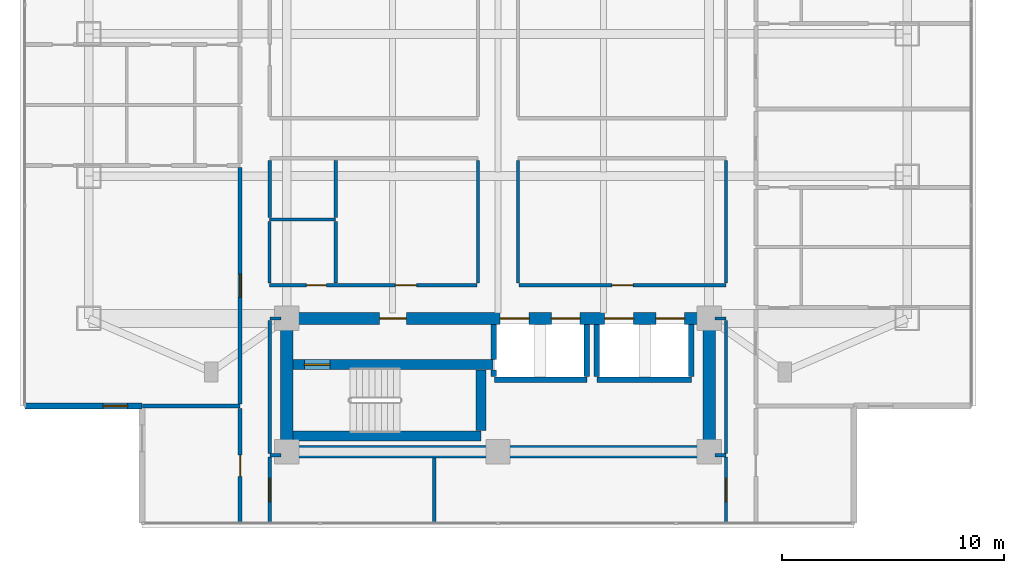
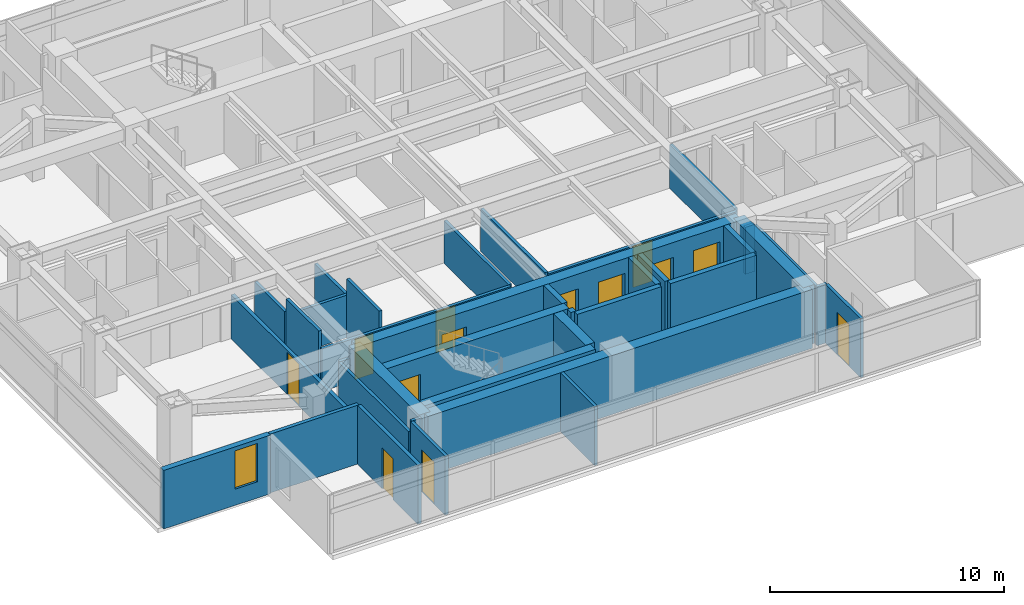
# One storey, part 12 of 24: 37 walls, 13 doors, 1 window, 14 openings.
"""IFC4 building model written with IfcOpenShell, lengths in metres."""

import ifcopenshell
import ifcopenshell.guid

model = None  # the IFC model being written
_history = None  # IfcOwnerHistory: only IFC2X3 demands one
_inside = {}  # id of a spatial element -> (the spatial element, [elements in it])
_under = {}  # id of a project, library or spatial element -> (it, [spatial elements below it])
_declared = {}  # id of a project -> (the project, [libraries it declares])
_typed = {}  # id of a type object -> (the type object, [elements of that type])
_made_of = {}  # id of a material, layer set ... -> (it, [elements and type objects made of it])


def new_model(schema):
    """Start an empty IFC model of exactly this schema.

    Asked for "IFC4X3", IfcOpenShell would pick the latest addendum, in which some entities
    have other attributes; the version numbers below select the first issue.
    IFC2X3 requires an IfcOwnerHistory on every rooted entity: one is made here for all.
    """
    global model, _history
    if schema == "IFC4X3":
        model = ifcopenshell.file(schema_version=(4, 3, 0, 0))
    else:
        model = ifcopenshell.file(schema=schema)
    _inside.clear()
    _under.clear()
    _declared.clear()
    _typed.clear()
    _made_of.clear()
    _history = None
    if model.schema == "IFC2X3":
        org = make("IfcOrganization", Name="unknown")
        user = make(
            "IfcPersonAndOrganization",
            ThePerson=make("IfcPerson", FamilyName="unknown"),
            TheOrganization=org,
        )
        app = make(
            "IfcApplication",
            ApplicationDeveloper=org,
            Version="unknown",
            ApplicationFullName="unknown",
            ApplicationIdentifier="unknown",
        )
        _history = make(
            "IfcOwnerHistory",
            OwningUser=user,
            OwningApplication=app,
            ChangeAction="ADDED",
            CreationDate=0,
        )
    return model


def make(cls, **values):
    """One entity of the class cls with the attributes given. An attribute that is None is left unset."""
    return model.create_entity(
        cls, **{name: value for name, value in values.items() if value is not None}
    )


def rooted(cls, **values):
    """An entity with a GlobalId (a new one), such as an element, a storey or a relation."""
    return make(cls, GlobalId=ifcopenshell.guid.new(), OwnerHistory=_history, **values)


def si_unit(unit_type, name, prefix=None):
    """IfcSIUnit, for example si_unit("LENGTHUNIT", "METRE", prefix="MILLI")."""
    return make("IfcSIUnit", UnitType=unit_type, Prefix=prefix, Name=name)


def assignment(units):
    """IfcUnitAssignment: the units of a project."""
    return None if units is None else make("IfcUnitAssignment", Units=units)


def point(xyz):
    """IfcCartesianPoint."""
    return None if xyz is None else make("IfcCartesianPoint", Coordinates=xyz)


def direction(xyz):
    """IfcDirection."""
    return None if xyz is None else make("IfcDirection", DirectionRatios=xyz)


def frame(location, z_axis=None, x_axis=None):
    """IfcAxis2Placement3D, a coordinate frame: its origin and axes. An axis left out is left unset."""
    return make(
        "IfcAxis2Placement3D",
        Location=point(location),
        Axis=direction(z_axis),
        RefDirection=direction(x_axis),
    )


def frame_2d(location, x_axis=None):
    """IfcAxis2Placement2D, a coordinate frame in the plane: its origin and x axis."""
    return make(
        "IfcAxis2Placement2D", Location=point(location), RefDirection=direction(x_axis)
    )


def origin():
    """The frame at (0, 0, 0) with its axes left unset."""
    return frame((0.0, 0.0, 0.0))


def place(relative_to, where):
    """IfcLocalPlacement: puts the frame where relative to a parent placement (None: the world)."""
    return make(
        "IfcLocalPlacement", PlacementRelTo=relative_to, RelativePlacement=where
    )


def context(
    kind, dimensions, precision=None, world=None, true_north=None, identifier=None
):
    """IfcGeometricRepresentationContext, for example the 3D "Model" context."""
    return make(
        "IfcGeometricRepresentationContext",
        ContextIdentifier=identifier,
        ContextType=kind,
        CoordinateSpaceDimension=dimensions,
        Precision=precision,
        WorldCoordinateSystem=world,
        TrueNorth=true_north,
    )


def subcontext(parent, identifier, kind, view, scale=None):
    """IfcGeometricRepresentationSubContext, for example "Body" below "Model"."""
    return make(
        "IfcGeometricRepresentationSubContext",
        ContextIdentifier=identifier,
        ContextType=kind,
        ParentContext=parent,
        TargetScale=scale,
        TargetView=view,
    )


def project(units=None, contexts=None):
    """IfcProject with its units and contexts."""
    return rooted(
        "IfcProject",
        Name="project",
        RepresentationContexts=contexts,
        UnitsInContext=assignment(units),
    )


def spatial(cls, under=None, at=None, **own):
    """A site, building, storey or space (cls), placed at a placement, below another one or the project."""
    s = rooted(cls, ObjectPlacement=at, **own)
    if under is not None:
        _under.setdefault(under.id(), (under, []))[1].append(s)
    return s


def profile(cls, at=None, kind="AREA", **sizes):
    """A parametric profile (cls). Its sizes go by their IFC names, for example OverallWidth=200.0."""
    return make(cls, ProfileType=kind, Position=at, **sizes)


def rectangle(**sizes):
    """IfcRectangleProfileDef."""
    return profile("IfcRectangleProfileDef", **sizes)


def extrude(swept, where, along, depth):
    """IfcExtrudedAreaSolid: the profile swept, set in the frame where, extruded along a direction by depth."""
    return make(
        "IfcExtrudedAreaSolid",
        SweptArea=swept,
        Position=where,
        ExtrudedDirection=direction(along),
        Depth=depth,
    )


def shape(context_of_items, identifier, shape_type, items):
    """IfcShapeRepresentation: the items that make up one representation, for example the "Body"."""
    return make(
        "IfcShapeRepresentation",
        ContextOfItems=context_of_items,
        RepresentationIdentifier=identifier,
        RepresentationType=shape_type,
        Items=items,
    )


def material(Name=None, Category=None):
    """IfcMaterial."""
    return make("IfcMaterial", Name=Name, Category=Category)


def layer(
    of_material, thickness, ventilated=None, Name=None, Category=None, Priority=None
):
    """IfcMaterialLayer: one layer of a wall or slab, of a material (None: an air gap)."""
    return make(
        "IfcMaterialLayer",
        Material=of_material,
        LayerThickness=thickness,
        IsVentilated=ventilated,
        Name=Name,
        Category=Category,
        Priority=Priority,
    )


def layer_set(layers, Name=None):
    """IfcMaterialLayerSet."""
    return make("IfcMaterialLayerSet", MaterialLayers=layers, LayerSetName=Name)


def made_of(thing, what):
    """Note that an element or type object is made of a material, layer set ...; save() writes the relation."""
    if what is not None:
        _made_of.setdefault(what.id(), (what, []))[1].append(thing)
    return thing


def type_object(cls, material=None, **own):
    """A type object (cls), such as IfcWallType, which elements share."""
    return made_of(rooted(cls, **own), material)


def element(
    cls,
    number,
    at=None,
    inside=None,
    cuts=None,
    type_object=None,
    material=None,
    context=None,
    identifier="Body",
    shape_type=None,
    held_by="IfcProductDefinitionShape",
    body=None,
    shapes=None,
    **own,
):
    """One element of the class cls, such as IfcWall. Its Tag is "e" and its number.

    at: its placement. inside: the storey or other place that contains it. cuts: it is an
    opening in that element (IfcRelVoidsElement). A single representation is given by context,
    identifier, shape_type and body (its items); several are given by shapes. held_by: the class
    of the entity that holds the representations. save() writes the other relations.
    """
    e = rooted(cls, Tag="e%d" % number, ObjectPlacement=at, **own)
    if body is not None:
        shapes = [shape(context, identifier, shape_type, body)]
    if shapes is not None:
        e.Representation = make(held_by, Representations=shapes)
    if inside is not None:
        _inside.setdefault(inside.id(), (inside, []))[1].append(e)
    if cuts is not None:
        rooted(
            "IfcRelVoidsElement", RelatingBuildingElement=cuts, RelatedOpeningElement=e
        )
    if type_object is not None:
        _typed.setdefault(type_object.id(), (type_object, []))[1].append(e)
    return made_of(e, material)


def fill(opening, filler):
    """IfcRelFillsElement: the door or window that sits in an opening."""
    return rooted(
        "IfcRelFillsElement",
        RelatingOpeningElement=opening,
        RelatedBuildingElement=filler,
    )


def aggregate(whole, parts):
    """IfcRelAggregates: a whole, such as a stair, and the parts it consists of."""
    return rooted("IfcRelAggregates", RelatingObject=whole, RelatedObjects=parts)


def save(model, path):
    """Write the relations noted so far, then the file.

    IfcRelAggregates (storeys below a building ...), IfcRelContainedInSpatialStructure (elements
    in a storey), IfcRelDefinesByType, IfcRelAssociatesMaterial and IfcRelDeclares: one each for
    every whole, place, type object, material and project.
    """
    for whole, parts in _under.values():
        aggregate(whole, parts)
    for where, things in _inside.values():
        rooted(
            "IfcRelContainedInSpatialStructure",
            RelatedElements=things,
            RelatingStructure=where,
        )
    for kind, things in _typed.values():
        rooted("IfcRelDefinesByType", RelatedObjects=things, RelatingType=kind)
    for what, things in _made_of.values():
        rooted("IfcRelAssociatesMaterial", RelatedObjects=things, RelatingMaterial=what)
    for by, libraries in _declared.values():
        rooted("IfcRelDeclares", RelatingContext=by, RelatedDefinitions=libraries)
    model.write(path)


model = new_model("IFC4")

# Units and contexts
model_context = context("Model", 3, precision=1e-05, world=origin(), true_north=direction((0.0, 1.0)))
body_context = subcontext(model_context, "Body", "Model", "MODEL_VIEW")
ifc_project = project(units=[si_unit("LENGTHUNIT", "METRE"), si_unit("AREAUNIT", "SQUARE_METRE"), si_unit("VOLUMEUNIT", "CUBIC_METRE"), si_unit("PLANEANGLEUNIT", "RADIAN"), si_unit("MASSUNIT", "GRAM", prefix="KILO")], contexts=[model_context])

# Site, building, storey
site_placement = place(None, origin())
site = spatial("IfcSite", under=ifc_project, at=site_placement, CompositionType="ELEMENT")
building_placement = place(site_placement, origin())
building = spatial("IfcBuilding", under=site, at=building_placement, Name="Mirazonda Arch Towers", CompositionType="ELEMENT")
storey_placement = place(building_placement, frame((0.0, 0.0, 134.60009765625)))
storey = spatial("IfcBuildingStorey", under=building, at=storey_placement, Name="L38", CompositionType="ELEMENT", Elevation=134.60009765625)

# Wall
ifc_material_1 = material(Name="Concrete C50/60", Category="concrete")
ifc_layer_1 = layer(ifc_material_1, 0.449951171875, Name="WALL-CORE-450")
ifc_layer_set_1 = layer_set([ifc_layer_1], Name="Concrete C50/60")
wall_type_1 = type_object("IfcWallType", Name="WALL-CORE-450", PredefinedType="SHEAR", material=ifc_layer_set_1)
wall_1_placement = place(storey_placement, frame((11.27001953125, 13.1201171875, 0.0), z_axis=(0.0, 0.0, 1.0), x_axis=(1.0, 0.0, 0.0)))
element("IfcWall", 1, at=wall_1_placement, inside=storey, type_object=wall_type_1, Name="L38 Stair Core Shear Wall 003", PredefinedType="SHEAR", context=body_context, shape_type="SweptSolid", body=[
    extrude(rectangle(XDim=8.4599609375, YDim=0.449951171875, at=frame_2d((4.22998046875, 0.0))), origin(), (0.0, 0.0, 1.0), 3.079833984375),
])

# Wall, opening, door
wall_2_placement = place(storey_placement, frame((11.27001953125, 16.320068359375, 0.0), z_axis=(0.0, 0.0, 1.0), x_axis=(1.0, 0.0, 0.0)))
wall_2 = element("IfcWall", 2, at=wall_2_placement, inside=storey, type_object=wall_type_1, Name="L38 Stair Core Shear Wall 008", PredefinedType="SHEAR", context=body_context, shape_type="SweptSolid", body=[
    extrude(rectangle(XDim=9.010009765625, YDim=0.449951171875, at=frame_2d((4.5048828125, 0.0))), origin(), (0.0, 0.0, 1.0), 3.079833984375),
])
opening_1_placement = place(wall_2_placement, frame((0.52001953125, 0.0, 0.0)))
opening_1 = element("IfcOpeningElement", 3, at=opening_1_placement, cuts=wall_2, Name="Opening DR-135", PredefinedType="OPENING", context=body_context, shape_type="SweptSolid", body=[
    extrude(rectangle(XDim=1.14990234375, YDim=2.199951171875, at=frame_2d((0.574951171875, 1.10009765625))), frame((0.0, 0.23486328125, 0.0), z_axis=(0.0, -1.0, 0.0), x_axis=(1.0, 0.0, 0.0)), (0.0, 0.0, 1.0), 0.469970703125),
])
ifc_material_2 = material(Name="Architectural Brushed Steel S355", Category="steel")
door_type_1 = type_object("IfcDoorType", Name="DOOR-STAIR-FD90-1150", OperationType="NOTDEFINED", PredefinedType="DOOR", material=ifc_material_2)
door_1_placement = place(opening_1_placement, origin())
door_1 = element("IfcDoor", 4, at=door_1_placement, inside=storey, type_object=door_type_1, Name="L38 Protected Exit Stair South Door", OperationType="SINGLE_SWING_LEFT", OverallHeight=2.199951171875, OverallWidth=1.14990234375, PredefinedType="DOOR", context=body_context, shape_type="SweptSolid", body=[
    extrude(rectangle(XDim=1.14990234375, YDim=2.199951171875, at=frame_2d((0.574951171875, 1.10009765625))), frame((0.0, 0.02490234375, 0.0), z_axis=(0.0, -1.0, 0.0), x_axis=(1.0, 0.0, 0.0)), (0.0, 0.0, 1.0), 0.050048828125),
])
fill(opening_1, door_1)

# Walls
wall_3_placement = place(storey_placement, frame((19.72998046875, 13.35498046875, 0.0), z_axis=(0.0, 0.0, 1.0), x_axis=(0.0, 1.0, 0.0)))
element("IfcWall", 5, at=wall_3_placement, inside=storey, type_object=wall_type_1, Name="L38 Stair Core Shear Wall 086", PredefinedType="SHEAR", context=body_context, shape_type="SweptSolid", body=[
    extrude(rectangle(XDim=2.72998046875, YDim=0.449951171875, at=frame_2d((1.364990234375, 0.0))), origin(), (0.0, 0.0, 1.0), 3.079833984375),
])
ifc_layer_2 = layer(ifc_material_1, 0.550048828125, Name="WALL-CORE-550")
ifc_layer_set_2 = layer_set([ifc_layer_2], Name="Concrete C50/60")
wall_type_2 = type_object("IfcWallType", Name="WALL-CORE-550", PredefinedType="SHEAR", material=ifc_layer_set_2)
wall_4_placement = place(storey_placement, frame((11.0, 12.39990234375, 0.0), z_axis=(0.0, 0.0, 1.0), x_axis=(1.0, 0.0, 0.0)))
element("IfcWall", 6, at=wall_4_placement, inside=storey, type_object=wall_type_2, Name="L38 T1S-S Core Shear Wall", PredefinedType="SHEAR", context=body_context, shape_type="SweptSolid", body=[
    extrude(rectangle(XDim=19.0, YDim=0.550048828125, at=frame_2d((9.5, 0.0))), origin(), (0.0, 0.0, 1.0), 3.079833984375),
])
for number, where, z_axis, x_axis, name in (
    (7, (11.0, 12.39990234375, 0.0), (0.0, 0.0, 1.0), (0.0, 1.0, 0.0), "L38 T1S-W Core Shear Wall"),
    (8, (30.0, 12.39990234375, 0.0), (0.0, 0.0, 1.0), (0.0, 1.0, 0.0), "L38 T1S-E Core Shear Wall"),
):
    element("IfcWall", number, at=place(storey_placement, frame(where, z_axis=z_axis, x_axis=x_axis)), inside=storey, type_object=wall_type_2, Name=name, PredefinedType="SHEAR", context=body_context, shape_type="SweptSolid", body=[
        extrude(rectangle(XDim=6.0, YDim=0.550048828125, at=frame_2d((3.0, 0.0))), origin(), (0.0, 0.0, 1.0), 3.079833984375),
    ])

# Wall, openings, doors
wall_5_placement = place(storey_placement, frame((11.0, 18.39990234375, 0.0), z_axis=(0.0, 0.0, 1.0), x_axis=(1.0, 0.0, 0.0)))
wall_5 = element("IfcWall", 9, at=wall_5_placement, inside=storey, type_object=wall_type_2, Name="L38 T1S-N Core Shear Wall", PredefinedType="SHEAR", context=body_context, shape_type="SweptSolid", body=[
    extrude(rectangle(XDim=19.0, YDim=0.550048828125, at=frame_2d((9.5, 0.0))), origin(), (0.0, 0.0, 1.0), 3.079833984375),
])
opening_2_placement = place(wall_5_placement, frame((4.175048828125, 0.0, 0.0)))
opening_2 = element("IfcOpeningElement", 10, at=opening_2_placement, cuts=wall_5, Name="Opening DR-117", PredefinedType="OPENING", context=body_context, shape_type="SweptSolid", body=[
    extrude(rectangle(XDim=1.199951171875, YDim=2.25, at=frame_2d((0.60009765625, 1.125))), frame((0.0, 0.284912109375, 0.0), z_axis=(0.0, -1.0, 0.0), x_axis=(1.0, 0.0, 0.0)), (0.0, 0.0, 1.0), 0.570068359375),
])
opening_3_placement = place(wall_5_placement, frame((9.60009765625, 0.0, 0.0)))
opening_3 = element("IfcOpeningElement", 11, at=opening_3_placement, cuts=wall_5, Name="Opening LD-111", PredefinedType="OPENING", context=body_context, shape_type="SweptSolid", body=[
    extrude(rectangle(XDim=1.300048828125, YDim=2.300048828125, at=frame_2d((0.64990234375, 1.14990234375))), frame((0.0, 0.284912109375, 0.0), z_axis=(0.0, -1.0, 0.0), x_axis=(1.0, 0.0, 0.0)), (0.0, 0.0, 1.0), 0.570068359375),
])
opening_4_placement = place(wall_5_placement, frame((11.89990234375, 0.0, 0.0)))
opening_4 = element("IfcOpeningElement", 12, at=opening_4_placement, cuts=wall_5, Name="Opening LD-111", PredefinedType="OPENING", context=body_context, shape_type="SweptSolid", body=[
    extrude(rectangle(XDim=1.300048828125, YDim=2.300048828125, at=frame_2d((0.64990234375, 1.14990234375))), frame((0.0, 0.284912109375, 0.0), z_axis=(0.0, -1.0, 0.0), x_axis=(1.0, 0.0, 0.0)), (0.0, 0.0, 1.0), 0.570068359375),
])
opening_5_placement = place(wall_5_placement, frame((14.300048828125, 0.0, 0.0)))
opening_5 = element("IfcOpeningElement", 13, at=opening_5_placement, cuts=wall_5, Name="Opening LD-111", PredefinedType="OPENING", context=body_context, shape_type="SweptSolid", body=[
    extrude(rectangle(XDim=1.300048828125, YDim=2.300048828125, at=frame_2d((0.64990234375, 1.14990234375))), frame((0.0, 0.284912109375, 0.0), z_axis=(0.0, -1.0, 0.0), x_axis=(1.0, 0.0, 0.0)), (0.0, 0.0, 1.0), 0.570068359375),
])
opening_6_placement = place(wall_5_placement, frame((16.60009765625, 0.0, 0.0)))
opening_6 = element("IfcOpeningElement", 14, at=opening_6_placement, cuts=wall_5, Name="Opening LD-111", PredefinedType="OPENING", context=body_context, shape_type="SweptSolid", body=[
    extrude(rectangle(XDim=1.300048828125, YDim=2.300048828125, at=frame_2d((0.64990234375, 1.14990234375))), frame((0.0, 0.284912109375, 0.0), z_axis=(0.0, -1.0, 0.0), x_axis=(1.0, 0.0, 0.0)), (0.0, 0.0, 1.0), 0.570068359375),
])
door_type_2 = type_object("IfcDoorType", Name="DOOR-FFL-FD90-1200", OperationType="NOTDEFINED", PredefinedType="DOOR", material=ifc_material_2)
door_2_placement = place(opening_2_placement, origin())
door_2 = element("IfcDoor", 15, at=door_2_placement, inside=storey, type_object=door_type_2, Name="L38 South Core Stair & Lift Lobby Door", OperationType="SINGLE_SWING_RIGHT", OverallHeight=2.25, OverallWidth=1.199951171875, PredefinedType="DOOR", context=body_context, shape_type="SweptSolid", body=[
    extrude(rectangle(XDim=1.199951171875, YDim=2.25, at=frame_2d((0.60009765625, 1.125))), frame((0.0, 0.02490234375, 0.0), z_axis=(0.0, -1.0, 0.0), x_axis=(1.0, 0.0, 0.0)), (0.0, 0.0, 1.0), 0.050048828125),
])
fill(opening_2, door_2)
door_type_3 = type_object("IfcDoorType", Name="DOOR-LIFT-LAND-1300", OperationType="NOTDEFINED", PredefinedType="DOOR", material=ifc_material_2)
door_3_placement = place(opening_3_placement, origin())
door_3 = element("IfcDoor", 16, at=door_3_placement, inside=storey, type_object=door_type_3, Name="L38 Lift Landing Sliding Door PL-T1M1", OperationType="DOUBLE_DOOR_SLIDING", OverallHeight=2.300048828125, OverallWidth=1.300048828125, PredefinedType="DOOR", context=body_context, shape_type="SweptSolid", body=[
    extrude(rectangle(XDim=1.300048828125, YDim=2.300048828125, at=frame_2d((0.64990234375, 1.14990234375))), frame((0.0, 0.02490234375, 0.0), z_axis=(0.0, -1.0, 0.0), x_axis=(1.0, 0.0, 0.0)), (0.0, 0.0, 1.0), 0.050048828125),
])
fill(opening_3, door_3)
door_4_placement = place(opening_4_placement, origin())
door_4 = element("IfcDoor", 17, at=door_4_placement, inside=storey, type_object=door_type_3, Name="L38 Lift Landing Sliding Door PL-T1M2", OperationType="DOUBLE_DOOR_SLIDING", OverallHeight=2.300048828125, OverallWidth=1.300048828125, PredefinedType="DOOR", context=body_context, shape_type="SweptSolid", body=[
    extrude(rectangle(XDim=1.300048828125, YDim=2.300048828125, at=frame_2d((0.64990234375, 1.14990234375))), frame((0.0, 0.02490234375, 0.0), z_axis=(0.0, -1.0, 0.0), x_axis=(1.0, 0.0, 0.0)), (0.0, 0.0, 1.0), 0.050048828125),
])
fill(opening_4, door_4)
door_5_placement = place(opening_5_placement, origin())
door_5 = element("IfcDoor", 18, at=door_5_placement, inside=storey, type_object=door_type_3, Name="L38 Lift Landing Sliding Door PL-T1H1", OperationType="DOUBLE_DOOR_SLIDING", OverallHeight=2.300048828125, OverallWidth=1.300048828125, PredefinedType="DOOR", context=body_context, shape_type="SweptSolid", body=[
    extrude(rectangle(XDim=1.300048828125, YDim=2.300048828125, at=frame_2d((0.64990234375, 1.14990234375))), frame((0.0, 0.02490234375, 0.0), z_axis=(0.0, -1.0, 0.0), x_axis=(1.0, 0.0, 0.0)), (0.0, 0.0, 1.0), 0.050048828125),
])
fill(opening_5, door_5)
door_6_placement = place(opening_6_placement, origin())
door_6 = element("IfcDoor", 19, at=door_6_placement, inside=storey, type_object=door_type_3, Name="L38 Lift Landing Sliding Door PL-T1H2", OperationType="DOUBLE_DOOR_SLIDING", OverallHeight=2.300048828125, OverallWidth=1.300048828125, PredefinedType="DOOR", context=body_context, shape_type="SweptSolid", body=[
    extrude(rectangle(XDim=1.300048828125, YDim=2.300048828125, at=frame_2d((0.64990234375, 1.14990234375))), frame((0.0, 0.02490234375, 0.0), z_axis=(0.0, -1.0, 0.0), x_axis=(1.0, 0.0, 0.0)), (0.0, 0.0, 1.0), 0.050048828125),
])
fill(opening_6, door_6)

# Wall, opening, window
ifc_material_3 = material(Name="Precast Concrete C40/50", Category="concrete")
ifc_layer_3 = layer(ifc_material_3, 0.280029296875, Name="WALL-EXT-WALL-280")
ifc_layer_set_3 = layer_set([ifc_layer_3], Name="Precast Concrete C40/50")
wall_type_3 = type_object("IfcWallType", Name="WALL-EXT-WALL-280", PredefinedType="SOLIDWALL", material=ifc_layer_set_3)
wall_6_placement = place(storey_placement, frame((-0.780029296875, 14.4599609375, 0.0), z_axis=(0.0, 0.0, 1.0), x_axis=(1.0, 0.0, 0.0)))
wall_6 = element("IfcWall", 20, at=wall_6_placement, inside=storey, type_object=wall_type_3, Name="L38 T1 Corner Notch Return Wall WL-L38-T1-CSW2", PredefinedType="SOLIDWALL", context=body_context, shape_type="SweptSolid", body=[
    extrude(rectangle(XDim=5.27001953125, YDim=0.280029296875, at=frame_2d((2.635009765625, 0.0))), origin(), (0.0, 0.0, 1.0), 3.059814453125),
])
opening_7_placement = place(wall_6_placement, frame((3.52001953125, 0.0, 0.85009765625)))
opening_7 = element("IfcOpeningElement", 21, at=opening_7_placement, cuts=wall_6, Name="Opening WN-108", PredefinedType="OPENING", context=body_context, shape_type="SweptSolid", body=[
    extrude(rectangle(XDim=1.10009765625, YDim=2.0, at=frame_2d((0.550048828125, 1.0))), frame((0.0, 0.14990234375, 0.0), z_axis=(0.0, -1.0, 0.0), x_axis=(1.0, 0.0, 0.0)), (0.0, 0.0, 1.0), 0.300048828125),
])
ifc_material_4 = material(Name="Insulated Low-E Solar Glass", Category="glass")
window_type = type_object("IfcWindowType", Name="WIN-NOTCH-1100x2000", PartitioningType="SINGLE_PANEL", PredefinedType="WINDOW", material=ifc_material_4)
window_placement = place(opening_7_placement, origin())
window = element("IfcWindow", 22, at=window_placement, inside=storey, type_object=window_type, Name="L38 Punched Facade Window WN-L38-T1-CSW2", OverallHeight=2.0, OverallWidth=1.10009765625, PartitioningType="SINGLE_PANEL", PredefinedType="WINDOW", context=body_context, shape_type="SweptSolid", body=[
    extrude(rectangle(XDim=1.10009765625, YDim=2.0, at=frame_2d((0.550048828125, 1.0))), frame((0.0, 0.030029296875, 0.0), z_axis=(0.0, -1.0, 0.0), x_axis=(1.0, 0.0, 0.0)), (0.0, 0.0, 1.0), 0.06005859375),
])
fill(opening_7, window)

# Walls
ifc_material_5 = material(Name="Fire-Rated Gypsum Stud Partition")
ifc_layer_4 = layer(ifc_material_5, 0.14990234375, Name="WALL-PART-CORR-150")
ifc_layer_set_4 = layer_set([ifc_layer_4], Name="Fire-Rated Gypsum Stud Partition")
wall_type_4 = type_object("IfcWallType", Name="WALL-PART-CORR-150", PredefinedType="PARTITIONING", material=ifc_layer_set_4)
for number, where, z_axis, x_axis, name in (
    (23, (10.239990234375, 12.25, 0.0), (0.0, 0.0, 1.0), (1.0, 0.0, 0.0), "L38 Interior Partition 001"),
    (24, (30.27001953125, 12.25, 0.0), (0.0, 0.0, 1.0), (1.0, 0.0, 0.0), "L38 Interior Partition 002"),
):
    element("IfcWall", number, at=place(storey_placement, frame(where, z_axis=z_axis, x_axis=x_axis)), inside=storey, type_object=wall_type_4, Name=name, PredefinedType="PARTITIONING", context=body_context, shape_type="SweptSolid", body=[
        extrude(rectangle(XDim=0.489990234375, YDim=0.14990234375, at=frame_2d((0.2451171875, 0.0))), origin(), (0.0, 0.0, 1.0), 3.079833984375),
    ])
for number, where, z_axis, x_axis, name in (
    (25, (10.239990234375, 18.39990234375, 0.0), (0.0, 0.0, 1.0), (1.0, 0.0, 0.0), "L38 Interior Partition 012"),
    (26, (30.27001953125, 18.39990234375, 0.0), (0.0, 0.0, 1.0), (1.0, 0.0, 0.0), "L38 Interior Partition 013"),
):
    element("IfcWall", number, at=place(storey_placement, frame(where, z_axis=z_axis, x_axis=x_axis)), inside=storey, type_object=wall_type_4, Name=name, PredefinedType="PARTITIONING", context=body_context, shape_type="SweptSolid", body=[
        extrude(rectangle(XDim=0.489990234375, YDim=0.14990234375, at=frame_2d((0.2451171875, 0.0))), origin(), (0.0, 0.0, 1.0), 2.455810546875),
    ])

# Wall, openings, doors
wall_7_placement = place(storey_placement, frame((10.219970703125, 19.89990234375, 0.0), z_axis=(0.0, 0.0, 1.0), x_axis=(1.0, 0.0, 0.0)))
wall_7 = element("IfcWall", 27, at=wall_7_placement, inside=storey, type_object=wall_type_4, Name="L38 Interior Partition 016", PredefinedType="PARTITIONING", context=body_context, shape_type="SweptSolid", body=[
    extrude(rectangle(XDim=9.340087890625, YDim=0.14990234375, at=frame_2d((4.669921875, 0.0))), origin(), (0.0, 0.0, 1.0), 2.2158203125),
])
opening_8_placement = place(wall_7_placement, frame((1.659912109375, 0.0, 0.0)))
opening_8 = element("IfcOpeningElement", 28, at=opening_8_placement, cuts=wall_7, Name="Opening DR-120", PredefinedType="OPENING", context=body_context, shape_type="SweptSolid", body=[
    extrude(rectangle(XDim=0.89990234375, YDim=2.10009765625, at=frame_2d((0.449951171875, 1.050048828125))), frame((0.0, 0.0849609375, 0.0), z_axis=(0.0, -1.0, 0.0), x_axis=(1.0, 0.0, 0.0)), (0.0, 0.0, 1.0), 0.169921875),
])
opening_9_placement = place(wall_7_placement, frame((5.6650390625, 0.0, 0.0)))
opening_9 = element("IfcOpeningElement", 29, at=opening_9_placement, cuts=wall_7, Name="Opening DR-104", PredefinedType="OPENING", context=body_context, shape_type="SweptSolid", body=[
    extrude(rectangle(XDim=0.949951171875, YDim=2.14990234375, at=frame_2d((0.47509765625, 1.074951171875))), frame((0.0, 0.0849609375, 0.0), z_axis=(0.0, -1.0, 0.0), x_axis=(1.0, 0.0, 0.0)), (0.0, 0.0, 1.0), 0.169921875),
])
door_type_4 = type_object("IfcDoorType", Name="DOOR-ROOM-950", OperationType="NOTDEFINED", PredefinedType="DOOR", material=ifc_material_2)
door_7_placement = place(opening_9_placement, origin())
door_7 = element("IfcDoor", 30, at=door_7_placement, inside=storey, type_object=door_type_4, Name="L38 L38 West Courtyard Study Door", OperationType="SINGLE_SWING_LEFT", OverallHeight=2.14990234375, OverallWidth=0.949951171875, PredefinedType="DOOR", context=body_context, shape_type="SweptSolid", body=[
    extrude(rectangle(XDim=0.949951171875, YDim=2.14990234375, at=frame_2d((0.47509765625, 1.074951171875))), frame((0.0, 0.02490234375, 0.0), z_axis=(0.0, -1.0, 0.0), x_axis=(1.0, 0.0, 0.0)), (0.0, 0.0, 1.0), 0.050048828125),
])
fill(opening_9, door_7)
door_type_5 = type_object("IfcDoorType", Name="DOOR-WC-900", OperationType="NOTDEFINED", PredefinedType="DOOR", material=ifc_material_2)
door_8_placement = place(opening_8_placement, origin())
door_8 = element("IfcDoor", 31, at=door_8_placement, inside=storey, type_object=door_type_5, Name="L38 Common Accessible WC Door", OperationType="SINGLE_SWING_RIGHT", OverallHeight=2.10009765625, OverallWidth=0.89990234375, PredefinedType="DOOR", context=body_context, shape_type="SweptSolid", body=[
    extrude(rectangle(XDim=0.89990234375, YDim=2.10009765625, at=frame_2d((0.449951171875, 1.050048828125))), frame((0.0, 0.02490234375, 0.0), z_axis=(0.0, -1.0, 0.0), x_axis=(1.0, 0.0, 0.0)), (0.0, 0.0, 1.0), 0.050048828125),
])
fill(opening_8, door_8)

# Wall, opening, door
wall_8_placement = place(storey_placement, frame((21.43994140625, 19.89990234375, 0.0), z_axis=(0.0, 0.0, 1.0), x_axis=(1.0, 0.0, 0.0)))
wall_8 = element("IfcWall", 32, at=wall_8_placement, inside=storey, type_object=wall_type_4, Name="L38 Interior Partition 017", PredefinedType="PARTITIONING", context=body_context, shape_type="SweptSolid", body=[
    extrude(rectangle(XDim=9.320068359375, YDim=0.14990234375, at=frame_2d((4.66015625, 0.0))), origin(), (0.0, 0.0, 1.0), 2.2158203125),
])
opening_10_placement = place(wall_8_placement, frame((4.18505859375, 0.0, 0.0)))
opening_10 = element("IfcOpeningElement", 33, at=opening_10_placement, cuts=wall_8, Name="Opening DR-104", PredefinedType="OPENING", context=body_context, shape_type="SweptSolid", body=[
    extrude(rectangle(XDim=0.949951171875, YDim=2.14990234375, at=frame_2d((0.47509765625, 1.074951171875))), frame((0.0, 0.0849609375, 0.0), z_axis=(0.0, -1.0, 0.0), x_axis=(1.0, 0.0, 0.0)), (0.0, 0.0, 1.0), 0.169921875),
])
door_9_placement = place(opening_10_placement, origin())
door_9 = element("IfcDoor", 34, at=door_9_placement, inside=storey, type_object=door_type_4, Name="L38 L38 South-East Cruciform Lounge Door", OperationType="SINGLE_SWING_LEFT", OverallHeight=2.14990234375, OverallWidth=0.949951171875, PredefinedType="DOOR", context=body_context, shape_type="SweptSolid", body=[
    extrude(rectangle(XDim=0.949951171875, YDim=2.14990234375, at=frame_2d((0.47509765625, 1.074951171875))), frame((0.0, 0.02490234375, 0.0), z_axis=(0.0, -1.0, 0.0), x_axis=(1.0, 0.0, 0.0)), (0.0, 0.0, 1.0), 0.050048828125),
])
fill(opening_10, door_9)

# Walls
wall_9_placement = place(storey_placement, frame((10.219970703125, 22.85009765625, 0.0), z_axis=(0.0, 0.0, 1.0), x_axis=(1.0, 0.0, 0.0)))
element("IfcWall", 35, at=wall_9_placement, inside=storey, type_object=wall_type_4, Name="L38 Interior Partition 024", PredefinedType="PARTITIONING", context=body_context, shape_type="SweptSolid", body=[
    extrude(rectangle(XDim=2.97998046875, YDim=0.14990234375, at=frame_2d((1.489990234375, 0.0))), origin(), (0.0, 0.0, 1.0), 2.2158203125),
])
wall_10_placement = place(storey_placement, frame((10.219970703125, 19.985107421875, 0.0), z_axis=(0.0, 0.0, 1.0), x_axis=(0.0, 1.0, 0.0)))
element("IfcWall", 36, at=wall_10_placement, inside=storey, type_object=wall_type_4, Name="L38 Interior Partition 072", PredefinedType="PARTITIONING", context=body_context, shape_type="SweptSolid", body=[
    extrude(rectangle(XDim=2.77978515625, YDim=0.14990234375, at=frame_2d((1.389892578125, 0.0))), origin(), (0.0, 0.0, 1.0), 3.079833984375),
])

# Wall, opening, door
wall_11_placement = place(storey_placement, frame((10.239990234375, 9.18994140625, 0.0), z_axis=(0.0, 0.0, 1.0), x_axis=(0.0, 1.0, 0.0)))
wall_11 = element("IfcWall", 37, at=wall_11_placement, inside=storey, type_object=wall_type_4, Name="L38 Interior Partition 073", PredefinedType="PARTITIONING", context=body_context, shape_type="SweptSolid", body=[
    extrude(rectangle(XDim=2.97509765625, YDim=0.14990234375, at=frame_2d((1.487548828125, 0.0))), origin(), (0.0, 0.0, 1.0), 3.079833984375),
])
opening_11_placement = place(wall_11_placement, frame((0.96240234375, 0.0, 0.0)))
opening_11 = element("IfcOpeningElement", 38, at=opening_11_placement, cuts=wall_11, Name="Opening DR-121", PredefinedType="OPENING", context=body_context, shape_type="SweptSolid", body=[
    extrude(rectangle(XDim=1.050048828125, YDim=2.199951171875, at=frame_2d((0.52490234375, 1.10009765625))), frame((0.0, 0.0849609375, 0.0), z_axis=(0.0, -1.0, 0.0), x_axis=(1.0, 0.0, 0.0)), (0.0, 0.0, 1.0), 0.169921875),
])
door_type_6 = type_object("IfcDoorType", Name="DOOR-SUITE-FD60-1050", OperationType="NOTDEFINED", PredefinedType="DOOR", material=ifc_material_2)
door_10_placement = place(opening_11_placement, origin())
door_10 = element("IfcDoor", 39, at=door_10_placement, inside=storey, type_object=door_type_6, Name="L38 South Panoramic Study Minor Door", OperationType="SINGLE_SWING_LEFT", OverallHeight=2.199951171875, OverallWidth=1.050048828125, PredefinedType="DOOR", context=body_context, shape_type="SweptSolid", body=[
    extrude(rectangle(XDim=1.050048828125, YDim=2.199951171875, at=frame_2d((0.52490234375, 1.10009765625))), frame((0.0, 0.02490234375, 0.0), z_axis=(0.0, -1.0, 0.0), x_axis=(1.0, 0.0, 0.0)), (0.0, 0.0, 1.0), 0.050048828125),
])
fill(opening_11, door_10)

# Walls
wall_12_placement = place(storey_placement, frame((10.239990234375, 12.3349609375, 0.0), z_axis=(0.0, 0.0, 1.0), x_axis=(0.0, 1.0, 0.0)))
element("IfcWall", 40, at=wall_12_placement, inside=storey, type_object=wall_type_4, Name="L38 Interior Partition 074", PredefinedType="PARTITIONING", context=body_context, shape_type="SweptSolid", body=[
    extrude(rectangle(XDim=5.97998046875, YDim=0.14990234375, at=frame_2d((2.989990234375, 0.0))), origin(), (0.0, 0.0, 1.0), 2.455810546875),
])
wall_13_placement = place(storey_placement, frame((10.239990234375, 22.93505859375, 0.0), z_axis=(0.0, 0.0, 1.0), x_axis=(0.0, 1.0, 0.0)))
element("IfcWall", 41, at=wall_13_placement, inside=storey, type_object=wall_type_4, Name="L38 Interior Partition 075", PredefinedType="PARTITIONING", context=body_context, shape_type="SweptSolid", body=[
    extrude(rectangle(XDim=2.579833984375, YDim=0.14990234375, at=frame_2d((1.2900390625, 0.0))), origin(), (0.0, 0.0, 1.0), 2.298828125),
])
wall_14_placement = place(storey_placement, frame((13.199951171875, 19.985107421875, 0.0), z_axis=(0.0, 0.0, 1.0), x_axis=(0.0, 1.0, 0.0)))
element("IfcWall", 42, at=wall_14_placement, inside=storey, type_object=wall_type_4, Name="L38 Interior Partition 080", PredefinedType="PARTITIONING", context=body_context, shape_type="SweptSolid", body=[
    extrude(rectangle(XDim=2.77978515625, YDim=0.14990234375, at=frame_2d((1.389892578125, 0.0))), origin(), (0.0, 0.0, 1.0), 3.079833984375),
])
wall_15_placement = place(storey_placement, frame((13.199951171875, 22.93505859375, 0.0), z_axis=(0.0, 0.0, 1.0), x_axis=(0.0, 1.0, 0.0)))
element("IfcWall", 43, at=wall_15_placement, inside=storey, type_object=wall_type_4, Name="L38 Interior Partition 081", PredefinedType="PARTITIONING", context=body_context, shape_type="SweptSolid", body=[
    extrude(rectangle(XDim=2.579833984375, YDim=0.14990234375, at=frame_2d((1.2900390625, 0.0))), origin(), (0.0, 0.0, 1.0), 2.2158203125),
])
wall_16_placement = place(storey_placement, frame((17.626953125, 9.18994140625, 0.0), z_axis=(0.0, 0.0, 1.0), x_axis=(0.0, 1.0, 0.0)))
element("IfcWall", 44, at=wall_16_placement, inside=storey, type_object=wall_type_4, Name="L38 Interior Partition 083", PredefinedType="PARTITIONING", context=body_context, shape_type="SweptSolid", body=[
    extrude(rectangle(XDim=2.93994140625, YDim=0.14990234375, at=frame_2d((1.469970703125, 0.0))), origin(), (0.0, 0.0, 1.0), 3.079833984375),
])
for number, where, z_axis, x_axis, name in (
    (45, (19.60009765625, 19.985107421875, 0.0), (0.0, 0.0, 1.0), (0.0, 1.0, 0.0), "L38 Interior Partition 084"),
    (46, (21.39990234375, 19.985107421875, 0.0), (0.0, 0.0, 1.0), (0.0, 1.0, 0.0), "L38 Interior Partition 091"),
):
    element("IfcWall", number, at=place(storey_placement, frame(where, z_axis=z_axis, x_axis=x_axis)), inside=storey, type_object=wall_type_4, Name=name, PredefinedType="PARTITIONING", context=body_context, shape_type="SweptSolid", body=[
        extrude(rectangle(XDim=5.52978515625, YDim=0.14990234375, at=frame_2d((2.764892578125, 0.0))), origin(), (0.0, 0.0, 1.0), 2.2158203125),
    ])

# Wall, opening, door
wall_17_placement = place(storey_placement, frame((30.760009765625, 9.18994140625, 0.0), z_axis=(0.0, 0.0, 1.0), x_axis=(0.0, 1.0, 0.0)))
wall_17 = element("IfcWall", 47, at=wall_17_placement, inside=storey, type_object=wall_type_4, Name="L38 Interior Partition 101", PredefinedType="PARTITIONING", context=body_context, shape_type="SweptSolid", body=[
    extrude(rectangle(XDim=2.97509765625, YDim=0.14990234375, at=frame_2d((1.487548828125, 0.0))), origin(), (0.0, 0.0, 1.0), 3.079833984375),
])
opening_12_placement = place(wall_17_placement, frame((0.96240234375, 0.0, 0.0)))
opening_12 = element("IfcOpeningElement", 48, at=opening_12_placement, cuts=wall_17, Name="Opening DR-121", PredefinedType="OPENING", context=body_context, shape_type="SweptSolid", body=[
    extrude(rectangle(XDim=1.050048828125, YDim=2.199951171875, at=frame_2d((0.52490234375, 1.10009765625))), frame((0.0, 0.0849609375, 0.0), z_axis=(0.0, -1.0, 0.0), x_axis=(1.0, 0.0, 0.0)), (0.0, 0.0, 1.0), 0.169921875),
])
door_11_placement = place(opening_12_placement, origin())
door_11 = element("IfcDoor", 49, at=door_11_placement, inside=storey, type_object=door_type_6, Name="L38 South Panoramic Study Grand Door", OperationType="SINGLE_SWING_RIGHT", OverallHeight=2.199951171875, OverallWidth=1.050048828125, PredefinedType="DOOR", context=body_context, shape_type="SweptSolid", body=[
    extrude(rectangle(XDim=1.050048828125, YDim=2.199951171875, at=frame_2d((0.52490234375, 1.10009765625))), frame((0.0, 0.02490234375, 0.0), z_axis=(0.0, -1.0, 0.0), x_axis=(1.0, 0.0, 0.0)), (0.0, 0.0, 1.0), 0.050048828125),
])
fill(opening_12, door_11)

# Walls
wall_18_placement = place(storey_placement, frame((30.760009765625, 12.3349609375, 0.0), z_axis=(0.0, 0.0, 1.0), x_axis=(0.0, 1.0, 0.0)))
element("IfcWall", 50, at=wall_18_placement, inside=storey, type_object=wall_type_4, Name="L38 Interior Partition 102", PredefinedType="PARTITIONING", context=body_context, shape_type="SweptSolid", body=[
    extrude(rectangle(XDim=5.97998046875, YDim=0.14990234375, at=frame_2d((2.989990234375, 0.0))), origin(), (0.0, 0.0, 1.0), 2.455810546875),
])
wall_19_placement = place(storey_placement, frame((30.760009765625, 19.985107421875, 0.0), z_axis=(0.0, 0.0, 1.0), x_axis=(0.0, 1.0, 0.0)))
element("IfcWall", 51, at=wall_19_placement, inside=storey, type_object=wall_type_4, Name="L38 Interior Partition 103", PredefinedType="PARTITIONING", context=body_context, shape_type="SweptSolid", body=[
    extrude(rectangle(XDim=5.52978515625, YDim=0.14990234375, at=frame_2d((2.764892578125, 0.0))), origin(), (0.0, 0.0, 1.0), 2.298828125),
])
ifc_material_6 = material(Name="Fire-Rated Gypsum Twin-Stud Assembly")
ifc_layer_5 = layer(ifc_material_6, 0.179931640625, Name="WALL-PART-DEMISE-180")
ifc_layer_set_5 = layer_set([ifc_layer_5], Name="Fire-Rated Gypsum Twin-Stud Assembly")
wall_type_5 = type_object("IfcWallType", Name="WALL-PART-DEMISE-180", PredefinedType="PARTITIONING", material=ifc_layer_set_5)
wall_20_placement = place(storey_placement, frame((4.510009765625, 14.4599609375, 0.0), z_axis=(0.0, 0.0, 1.0), x_axis=(1.0, 0.0, 0.0)))
element("IfcWall", 52, at=wall_20_placement, inside=storey, type_object=wall_type_5, Name="L38 Interior Partition 004", PredefinedType="PARTITIONING", context=body_context, shape_type="SweptSolid", body=[
    extrude(rectangle(XDim=4.389892578125, YDim=0.179931640625, at=frame_2d((2.19482421875, 0.0))), origin(), (0.0, 0.0, 1.0), 3.079833984375),
])

# Wall, opening, door
wall_21_placement = place(storey_placement, frame((8.89990234375, 9.18994140625, 0.0), z_axis=(0.0, 0.0, 1.0), x_axis=(0.0, 1.0, 0.0)))
wall_21 = element("IfcWall", 53, at=wall_21_placement, inside=storey, type_object=wall_type_5, Name="L38 Interior Partition 066", PredefinedType="PARTITIONING", context=body_context, shape_type="SweptSolid", body=[
    extrude(rectangle(XDim=5.170166015625, YDim=0.179931640625, at=frame_2d((2.5849609375, 0.0))), origin(), (0.0, 0.0, 1.0), 3.079833984375),
])
opening_13_placement = place(wall_21_placement, frame((2.110107421875, 0.0, 0.0)))
opening_13 = element("IfcOpeningElement", 54, at=opening_13_placement, cuts=wall_21, Name="Opening DR-104", PredefinedType="OPENING", context=body_context, shape_type="SweptSolid", body=[
    extrude(rectangle(XDim=0.949951171875, YDim=2.14990234375, at=frame_2d((0.47509765625, 1.074951171875))), frame((0.0, 0.099853515625, 0.0), z_axis=(0.0, -1.0, 0.0), x_axis=(1.0, 0.0, 0.0)), (0.0, 0.0, 1.0), 0.199951171875),
])
door_12_placement = place(opening_13_placement, origin())
door_12 = element("IfcDoor", 55, at=door_12_placement, inside=storey, type_object=door_type_4, Name="L38 South Panoramic Study Alcove West Door", OperationType="SINGLE_SWING_LEFT", OverallHeight=2.14990234375, OverallWidth=0.949951171875, PredefinedType="DOOR", context=body_context, shape_type="SweptSolid", body=[
    extrude(rectangle(XDim=0.949951171875, YDim=2.14990234375, at=frame_2d((0.47509765625, 1.074951171875))), frame((0.0, 0.02490234375, 0.0), z_axis=(0.0, -1.0, 0.0), x_axis=(1.0, 0.0, 0.0)), (0.0, 0.0, 1.0), 0.050048828125),
])
fill(opening_13, door_12)

wall_22_placement = place(storey_placement, frame((8.89990234375, 14.56005859375, 0.0), z_axis=(0.0, 0.0, 1.0), x_axis=(0.0, 1.0, 0.0)))
wall_22 = element("IfcWall", 56, at=wall_22_placement, inside=storey, type_object=wall_type_5, Name="L38 Interior Partition 067", PredefinedType="PARTITIONING", context=body_context, shape_type="SweptSolid", body=[
    extrude(rectangle(XDim=10.619873046875, YDim=0.179931640625, at=frame_2d((5.31005859375, 0.0))), origin(), (0.0, 0.0, 1.0), 2.298828125),
])
opening_14_placement = place(wall_22_placement, frame((4.784912109375, 0.0, 0.0)))
opening_14 = element("IfcOpeningElement", 57, at=opening_14_placement, cuts=wall_22, Name="Opening DR-121", PredefinedType="OPENING", context=body_context, shape_type="SweptSolid", body=[
    extrude(rectangle(XDim=1.050048828125, YDim=2.199951171875, at=frame_2d((0.52490234375, 1.10009765625))), frame((0.0, 0.099853515625, 0.0), z_axis=(0.0, -1.0, 0.0), x_axis=(1.0, 0.0, 0.0)), (0.0, 0.0, 1.0), 0.199951171875),
])
door_13_placement = place(opening_14_placement, origin())
door_13 = element("IfcDoor", 58, at=door_13_placement, inside=storey, type_object=door_type_6, Name="L38 Penthouse Residence 1 Living & Dining Salon Door", OperationType="SINGLE_SWING_LEFT", OverallHeight=2.199951171875, OverallWidth=1.050048828125, PredefinedType="DOOR", context=body_context, shape_type="SweptSolid", body=[
    extrude(rectangle(XDim=1.050048828125, YDim=2.199951171875, at=frame_2d((0.52490234375, 1.10009765625))), frame((0.0, 0.02490234375, 0.0), z_axis=(0.0, -1.0, 0.0), x_axis=(1.0, 0.0, 0.0)), (0.0, 0.0, 1.0), 0.050048828125),
])
fill(opening_14, door_13)

# Walls
ifc_material_7 = material(Name="Concrete C40/50", Category="concrete")
ifc_layer_6 = layer(ifc_material_7, 0.25, Name="WALL-SHAFT-250")
ifc_layer_set_6 = layer_set([ifc_layer_6], Name="Concrete C40/50")
wall_type_6 = type_object("IfcWallType", Name="WALL-SHAFT-250", PredefinedType="SOLIDWALL", material=ifc_layer_set_6)
wall_23_placement = place(storey_placement, frame((20.35009765625, 15.64990234375, 0.0), z_axis=(0.0, 0.0, 1.0), x_axis=(1.0, 0.0, 0.0)))
element("IfcWall", 59, at=wall_23_placement, inside=storey, type_object=wall_type_6, Name="L38 Interior Partition 006", PredefinedType="SOLIDWALL", context=body_context, shape_type="SweptSolid", body=[
    extrude(rectangle(XDim=4.14990234375, YDim=0.25, at=frame_2d((2.074951171875, 0.0))), origin(), (0.0, 0.0, 1.0), 3.079833984375),
])
wall_24_placement = place(storey_placement, frame((24.949951171875, 15.64990234375, 0.0), z_axis=(0.0, 0.0, 1.0), x_axis=(1.0, 0.0, 0.0)))
element("IfcWall", 60, at=wall_24_placement, inside=storey, type_object=wall_type_6, Name="L38 Interior Partition 007", PredefinedType="SOLIDWALL", context=body_context, shape_type="SweptSolid", body=[
    extrude(rectangle(XDim=4.25, YDim=0.25, at=frame_2d((2.125, 0.0))), origin(), (0.0, 0.0, 1.0), 3.079833984375),
])
wall_25_placement = place(storey_placement, frame((20.31494140625, 15.784912109375, 0.0), z_axis=(0.0, 0.0, 1.0), x_axis=(0.0, 1.0, 0.0)))
element("IfcWall", 61, at=wall_25_placement, inside=storey, type_object=wall_type_6, Name="L38 Interior Partition 088", PredefinedType="SOLIDWALL", context=body_context, shape_type="SweptSolid", body=[
    extrude(rectangle(XDim=0.300048828125, YDim=0.25, at=frame_2d((0.14990234375, 0.0))), origin(), (0.0, 0.0, 1.0), 3.079833984375),
])
wall_26_placement = place(storey_placement, frame((20.31494140625, 16.554931640625, 0.0), z_axis=(0.0, 0.0, 1.0), x_axis=(0.0, 1.0, 0.0)))
element("IfcWall", 62, at=wall_26_placement, inside=storey, type_object=wall_type_6, Name="L38 Interior Partition 089", PredefinedType="SOLIDWALL", context=body_context, shape_type="SweptSolid", body=[
    extrude(rectangle(XDim=1.574951171875, YDim=0.25, at=frame_2d((0.78759765625, 0.0))), origin(), (0.0, 0.0, 1.0), 3.079833984375),
])
for number, where, z_axis, x_axis, name in (
    (63, (24.5, 15.784912109375, 0.0), (0.0, 0.0, 1.0), (0.0, 1.0, 0.0), "L38 Interior Partition 093"),
    (64, (24.949951171875, 15.784912109375, 0.0), (0.0, 0.0, 1.0), (0.0, 1.0, 0.0), "L38 Interior Partition 095"),
    (65, (29.199951171875, 15.784912109375, 0.0), (0.0, 0.0, 1.0), (0.0, 1.0, 0.0), "L38 Interior Partition 098"),
):
    element("IfcWall", number, at=place(storey_placement, frame(where, z_axis=z_axis, x_axis=x_axis)), inside=storey, type_object=wall_type_6, Name=name, PredefinedType="SOLIDWALL", context=body_context, shape_type="SweptSolid", body=[
        extrude(rectangle(XDim=2.344970703125, YDim=0.25, at=frame_2d((1.17236328125, 0.0))), origin(), (0.0, 0.0, 1.0), 3.079833984375),
    ])

save(model, "model.ifc")
